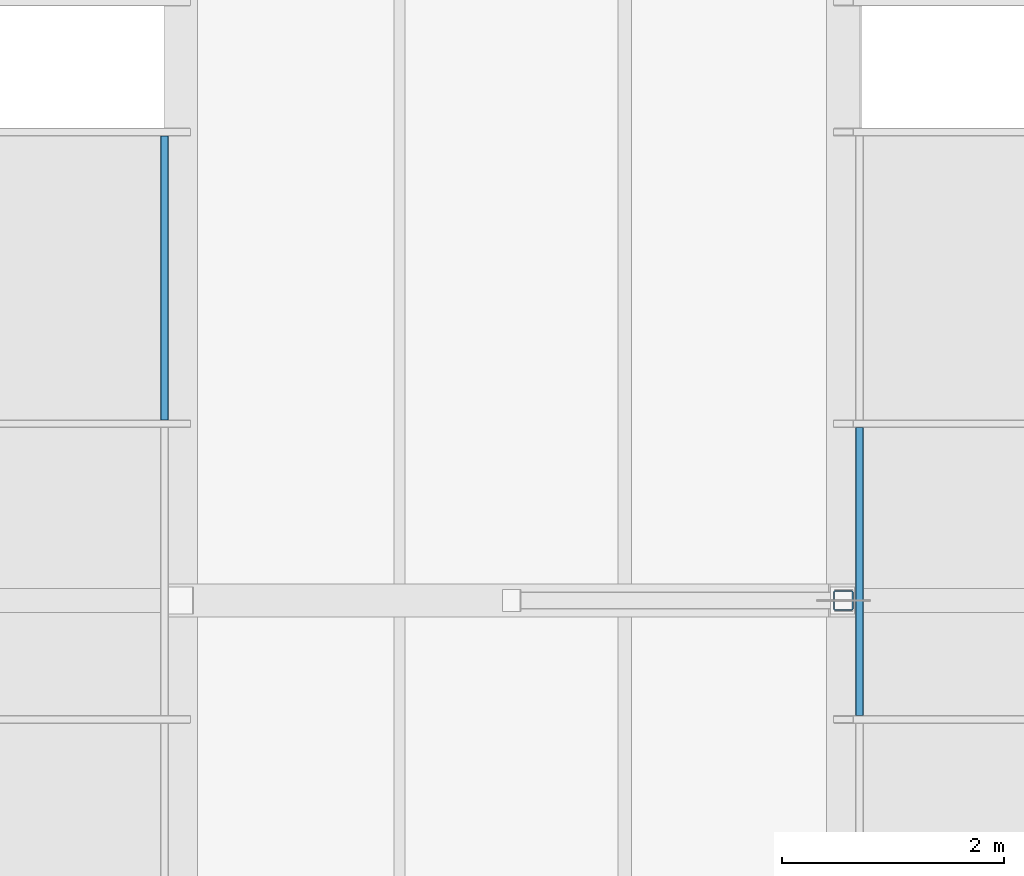
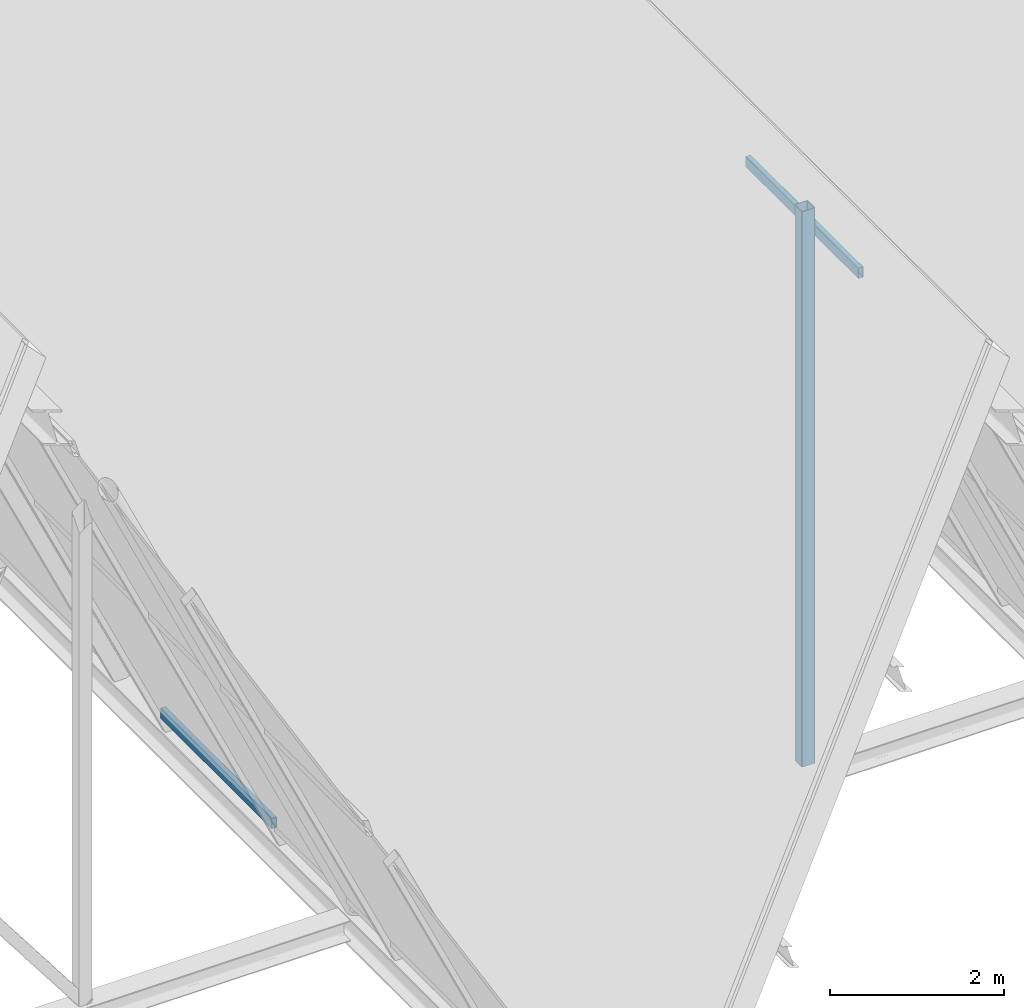
# One storey, part 8 of 99: 3 members, 2 elements without a shape of their own.
"""IFC4 building model written with IfcOpenShell, lengths in metres."""

from ifc_helpers import new_model, si_unit, direction, frame, origin, origin_2d, place, context, subcontext, project, spatial, hollow_rectangle, extrude, material, material_profile, profile_set, type_object, element, aggregate, save


model = new_model("IFC4")

# Units and contexts
model_context = context("Model", 3, precision=1e-05, world=origin(), true_north=direction((0.0, 1.0)))
body_context = subcontext(model_context, "Body", "Model", "MODEL_VIEW")
ifc_project = project(units=[si_unit("LENGTHUNIT", "METRE"), si_unit("AREAUNIT", "SQUARE_METRE"), si_unit("VOLUMEUNIT", "CUBIC_METRE"), si_unit("PLANEANGLEUNIT", "RADIAN"), si_unit("MASSUNIT", "GRAM", prefix="KILO")], contexts=[model_context])

# Site, building, storey
site_placement = place(None, origin())
site = spatial("IfcSite", under=ifc_project, at=site_placement, CompositionType="ELEMENT")
building_placement = place(site_placement, origin())
building = spatial("IfcBuilding", under=site, at=building_placement, Name="Bramveld Media Centre", CompositionType="ELEMENT")
storey_placement = place(building_placement, frame((0.0, 0.0, 13.800048828125)))
storey = spatial("IfcBuildingStorey", under=building, at=storey_placement, Name="L03", CompositionType="ELEMENT", Elevation=13.800048828125)

# Curtain wall, member
ifc_material_1 = material(Name="Thermally broken anodized bronze aluminium unitized curtain wall with solar-control triple glazing", Category="aluminium")
curtain_wall_type = type_object("IfcCurtainWallType", Name="CW-SAW-13300x8606", PredefinedType="NOTDEFINED", material=ifc_material_1)
curtain_wall_1_placement = place(storey_placement, origin())
curtain_wall_1 = element("IfcCurtainWall", 1, at=curtain_wall_1_placement, inside=storey, type_object=curtain_wall_type, Name="V2 sawtooth north-light clerestory B1-S1", PredefinedType="NOTDEFINED")
ifc_material_2 = material(Name="Thermally broken anodized bronze aluminium EN AW-6063 T6 curtain-wall framing", Category="aluminium")
ifc_material_profile_1 = material_profile(ifc_material_2, hollow_rectangle(XDim=0.070068359375, YDim=0.14990234375, WallThickness=0.00390625, InnerFilletRadius=0.00390625, OuterFilletRadius=0.008056640625, at=origin_2d()), Name="AL-TRAN 70x150")
ifc_profile_set_1 = profile_set([ifc_material_profile_1], Name="Thermally broken anodized bronze aluminium EN AW-6063 T6 curtain-wall framing")
member_type_1 = type_object("IfcMemberType", Name="CW-TRAN-SLP", PredefinedType="USERDEFINED", material=ifc_profile_set_1)
member_1_placement = place(storey_placement, frame((9.45458984375, 11.22509765625, 0.290771484375), z_axis=(0.0, 1.0, 0.0), x_axis=(-1.0, 0.0, 0.0)))
member_1 = element("IfcMember", 2, at=member_1_placement, type_object=member_type_1, Name="CW-SA-13386 transom 5.1", ObjectType="TRANSOM", PredefinedType="USERDEFINED", context=body_context, shape_type="SweptSolid", body=[
    extrude(hollow_rectangle(XDim=0.070068359375, YDim=0.14990234375, WallThickness=0.00390625, InnerFilletRadius=0.00390625, OuterFilletRadius=0.008056640625, at=origin_2d()), origin(), (0.0, 0.0, 1.0), 2.554931640625),
])
aggregate(curtain_wall_1, [member_1])

curtain_wall_2_placement = place(storey_placement, origin())
curtain_wall_2 = element("IfcCurtainWall", 3, at=curtain_wall_2_placement, inside=storey, type_object=curtain_wall_type, Name="V2 sawtooth north-light clerestory B2-S1", PredefinedType="NOTDEFINED")
member_2_placement = place(storey_placement, frame((15.708251953125, 8.56494140625, 7.439208984375), z_axis=(0.0, 1.0, 0.0), x_axis=(-1.0, 0.0, 0.0)))
member_2 = element("IfcMember", 4, at=member_2_placement, type_object=member_type_1, Name="CW-SA-13386 transom 4.3", ObjectType="TRANSOM", PredefinedType="USERDEFINED", context=body_context, shape_type="SweptSolid", body=[
    extrude(hollow_rectangle(XDim=0.070068359375, YDim=0.14990234375, WallThickness=0.00390625, InnerFilletRadius=0.00390625, OuterFilletRadius=0.008056640625, at=origin_2d()), origin(), (0.0, 0.0, 1.0), 2.590087890625),
])
aggregate(curtain_wall_2, [member_2])

# Member
ifc_material_3 = material(Name="Steel S355J2H", Category="steel")
ifc_material_profile_2 = material_profile(ifc_material_3, hollow_rectangle(XDim=0.179931640625, YDim=0.179931640625, WallThickness=0.010009765625, InnerFilletRadius=0.010009765625, OuterFilletRadius=0.02001953125, at=origin_2d()), Name="SHS 180x180x10")
ifc_profile_set_2 = profile_set([ifc_material_profile_2], Name="Steel S355J2H")
member_type_2 = type_object("IfcMemberType", Name="MEM-POST-SHS180", PredefinedType="POST", material=ifc_profile_set_2)
member_3_placement = place(storey_placement, frame((15.562744140625, 9.60009765625, 0.0), z_axis=(0.0, 0.0, 1.0), x_axis=(1.0, 0.0, 0.0)))
element("IfcMember", 5, at=member_3_placement, inside=storey, type_object=member_type_2, Name="TRUSS-V2-B02-F2 kingpost", PredefinedType="POST", context=body_context, shape_type="SweptSolid", body=[
    extrude(hollow_rectangle(XDim=0.179931640625, YDim=0.179931640625, WallThickness=0.010009765625, InnerFilletRadius=0.010009765625, OuterFilletRadius=0.02001953125, at=origin_2d()), origin(), (0.0, 0.0, 1.0), 7.800048828125),
])

save(model, "model.ifc")
